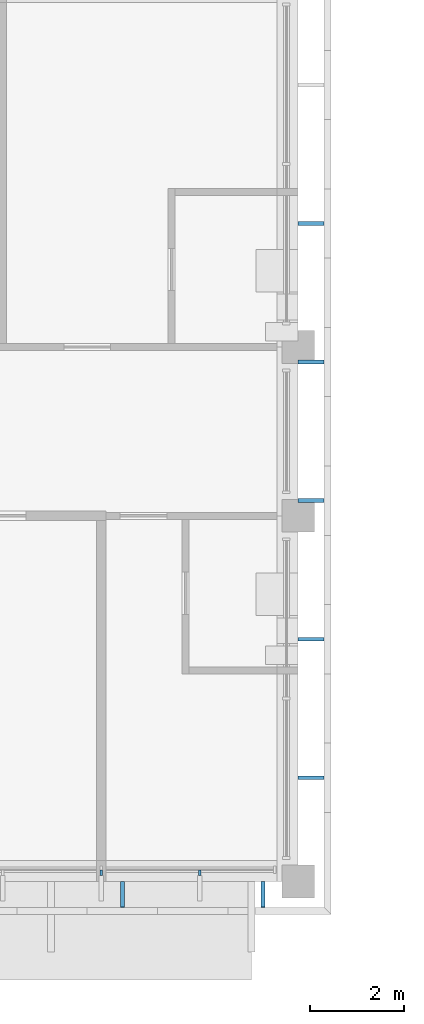
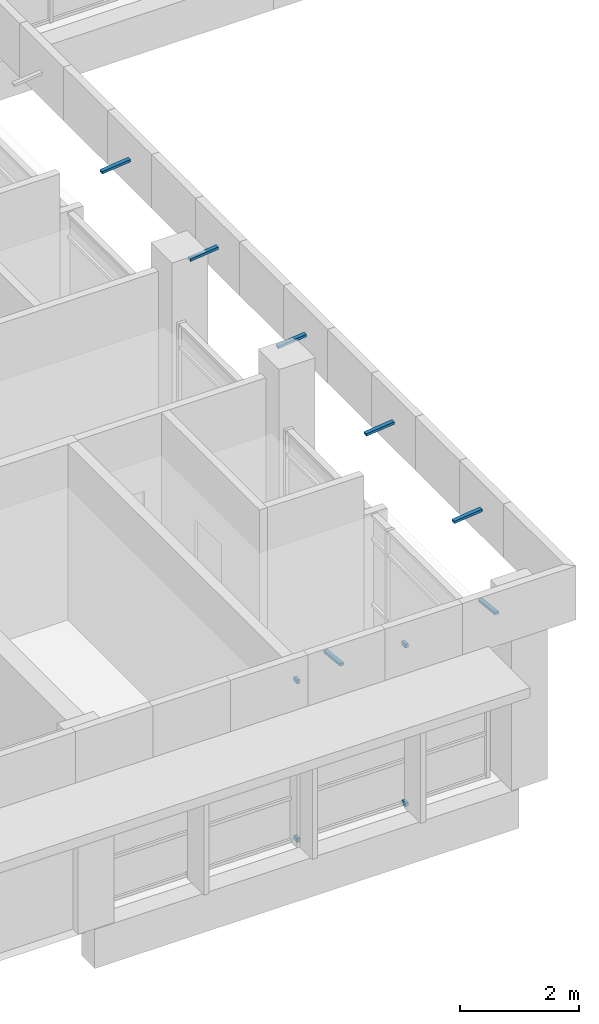
# One storey, part 54 of 71: 11 discrete accessories.
"""IFC4 building model written with IfcOpenShell, lengths in metres."""

from ifc_helpers import new_model, si_unit, direction, frame, origin, origin_2d, place, context, subcontext, project, spatial, rectangle, extrude, material, material_profile, profile_set, type_object, element, save


model = new_model("IFC4")

# Units and contexts
model_context = context("Model", 3, precision=1e-05, world=origin(), true_north=direction((0.0, 1.0)))
body_context = subcontext(model_context, "Body", "Model", "MODEL_VIEW")
ifc_project = project(units=[si_unit("LENGTHUNIT", "METRE"), si_unit("AREAUNIT", "SQUARE_METRE"), si_unit("VOLUMEUNIT", "CUBIC_METRE"), si_unit("PLANEANGLEUNIT", "RADIAN"), si_unit("MASSUNIT", "GRAM", prefix="KILO")], contexts=[model_context])

# Site, building, storey
site_placement = place(None, origin())
site = spatial("IfcSite", under=ifc_project, at=site_placement, CompositionType="ELEMENT")
building_placement = place(site_placement, origin())
building = spatial("IfcBuilding", under=site, at=building_placement, Name="Bougainvillea Quay General Hospital", CompositionType="ELEMENT")
storey_placement = place(building_placement, frame((0.0, 0.0, 24.89990234375)))
storey = spatial("IfcBuildingStorey", under=building, at=storey_placement, Name="L05", CompositionType="ELEMENT", Elevation=24.89990234375)

# Discrete accessories
ifc_material = material(Name="Stainless steel bracket, grade 316", Category="steel")
discrete_accessory_type_1 = type_object("IfcDiscreteAccessoryType", Name="Stainless steel fin arm 60x80", PredefinedType="BRACKET", material=ifc_material)
for number, where, z_axis, x_axis, name in (
    (1, (165.89990234375, 117.7900390625, 0.0), (0.0, 0.0, 1.0), (0.0, -1.0, 0.0), "Fin arm V5B L05 01.1B"),
    (2, (165.89990234375, 117.7900390625, 3.25), (0.0, 0.0, 1.0), (0.0, -1.0, 0.0), "Fin arm V5B L05 01.1T"),
    (3, (163.800048828125, 117.7900390625, 0.0), (0.0, 0.0, 1.0), (0.0, -1.0, 0.0), "Fin arm V5B L05 01.2B"),
    (4, (163.800048828125, 117.7900390625, 3.25), (0.0, 0.0, 1.0), (0.0, -1.0, 0.0), "Fin arm V5B L05 01.2T"),
):
    element("IfcDiscreteAccessory", number, at=place(storey_placement, frame(where, z_axis=z_axis, x_axis=x_axis)), inside=storey, type_object=discrete_accessory_type_1, Name=name, PredefinedType="BRACKET", context=body_context, shape_type="SweptSolid", body=[
        extrude(rectangle(XDim=0.1201171875, YDim=0.06005859375, at=origin_2d()), origin(), (0.0, 0.0, 1.0), 0.080078125),
    ])
ifc_material_profile = material_profile(ifc_material, rectangle(XDim=0.080078125, YDim=0.050048828125, at=origin_2d()))
ifc_profile_set = profile_set([ifc_material_profile], Name="Stainless steel bracket, grade 316")
discrete_accessory_type_2 = type_object("IfcDiscreteAccessoryType", Name="Stainless steel stand-off bracket 80x50", PredefinedType="BRACKET", material=ifc_profile_set)
for number, where, z_axis, x_axis, name in (
    (5, (164.25, 117.60009765625, 3.840087890625), (0.0, -0.994091793559, 0.108542645901), (1.0, 0.0, 0.0), "Fascia bracket e0 95"),
    (6, (167.25, 117.60009765625, 3.840087890625), (0.0, -0.994091793559, 0.108542645901), (1.0, 0.0, 0.0), "Fascia bracket e0 97"),
    (7, (168.0, 119.8154296875, 3.840087890625), (0.994091793559, 0.0, 0.108542645901), (0.0, 1.0, 0.0), "Fascia bracket e0 99"),
    (8, (168.0, 122.769287109375, 3.840087890625), (0.994091793559, 0.0, 0.108542645901), (0.0, 1.0, 0.0), "Fascia bracket e0 101"),
    (9, (168.0, 125.72314453125, 3.840087890625), (0.994091793559, 0.0, 0.108542645901), (0.0, 1.0, 0.0), "Fascia bracket e0 103"),
    (10, (168.0, 128.677001953125, 3.840087890625), (0.994091793559, 0.0, 0.108542645901), (0.0, 1.0, 0.0), "Fascia bracket e0 105"),
    (11, (168.0, 131.630859375, 3.840087890625), (0.994091793559, 0.0, 0.108542645901), (0.0, 1.0, 0.0), "Fascia bracket e0 107"),
):
    element("IfcDiscreteAccessory", number, at=place(storey_placement, frame(where, z_axis=z_axis, x_axis=x_axis)), inside=storey, type_object=discrete_accessory_type_2, Name=name, PredefinedType="BRACKET", context=body_context, shape_type="SweptSolid", body=[
        extrude(rectangle(XDim=0.080078125, YDim=0.050048828125, at=origin_2d()), origin(), (0.0, 0.0, 1.0), 0.55322265625),
    ])

save(model, "model.ifc")
